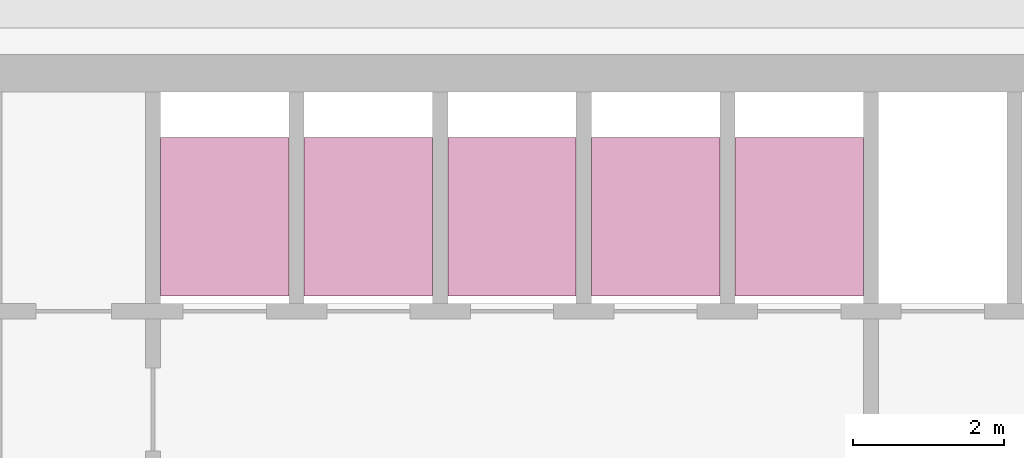
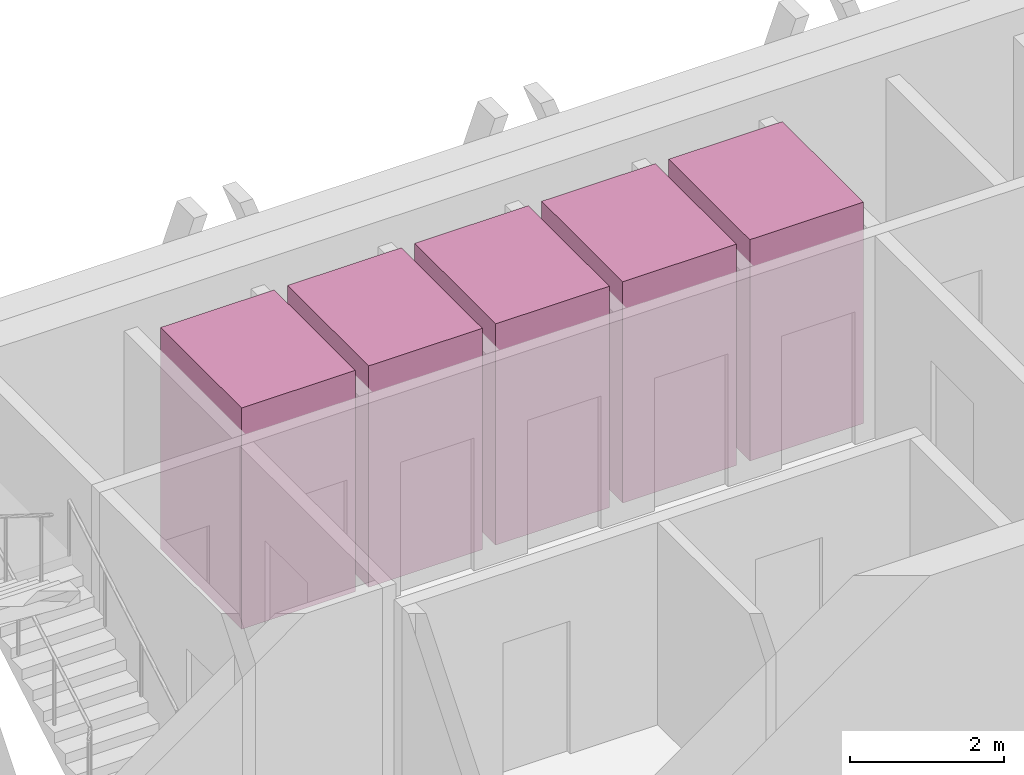
# One storey, part 12 of 12: 5 transport elements.
"""IFC4 building model written with IfcOpenShell, lengths in metres."""

from ifc_helpers import new_model, si_unit, direction, frame, origin, origin_2d, place, context, subcontext, project, spatial, rectangle, extrude, material, type_object, element, save


model = new_model("IFC4")

# Units and contexts
model_context = context("Model", 3, precision=1e-05, world=origin(), true_north=direction((0.0, 1.0)))
body_context = subcontext(model_context, "Body", "Model", "MODEL_VIEW")
ifc_project = project(units=[si_unit("LENGTHUNIT", "METRE"), si_unit("AREAUNIT", "SQUARE_METRE"), si_unit("VOLUMEUNIT", "CUBIC_METRE"), si_unit("PLANEANGLEUNIT", "RADIAN"), si_unit("MASSUNIT", "GRAM", prefix="KILO")], contexts=[model_context])

# Site, building, storey
site_placement = place(None, origin())
site = spatial("IfcSite", under=ifc_project, at=site_placement, CompositionType="ELEMENT")
building_placement = place(site_placement, origin())
building = spatial("IfcBuilding", under=site, at=building_placement, Name="Altiplano Prism Tower", CompositionType="ELEMENT")
storey_placement = place(building_placement, frame((0.0, 0.0, 298.60009765625)))
storey = spatial("IfcBuildingStorey", under=building, at=storey_placement, Name="L77", CompositionType="ELEMENT", Elevation=298.60009765625)

# Transport elements
ifc_material = material(Name="Stainless steel lift car", Category="steel")
transport_element_type = type_object("IfcTransportElementType", Name="Passenger lift car 1600 x 2100", PredefinedType="ELEVATOR", material=ifc_material)
for number, where, z_axis, x_axis, name in (
    (1, (79.050048828125, 101.75, 0.0498046875), (0.0, 0.0, 1.0), (1.0, 0.0, 0.0), "High Zone Passenger Lift 1"),
    (2, (80.949951171875, 101.75, 0.0498046875), (0.0, 0.0, 1.0), (1.0, 0.0, 0.0), "High Zone Passenger Lift 2"),
    (3, (82.85009765625, 101.75, 0.0498046875), (0.0, 0.0, 1.0), (1.0, 0.0, 0.0), "High Zone Passenger Lift 3"),
    (4, (84.75, 101.75, 0.0498046875), (0.0, 0.0, 1.0), (1.0, 0.0, 0.0), "High Zone Passenger Lift 4"),
    (5, (86.64990234375, 101.75, 0.0498046875), (0.0, 0.0, 1.0), (1.0, 0.0, 0.0), "High Zone Passenger Lift 5"),
):
    element("IfcTransportElement", number, at=place(storey_placement, frame(where, z_axis=z_axis, x_axis=x_axis)), inside=storey, type_object=transport_element_type, Name=name, PredefinedType="ELEVATOR", context=body_context, shape_type="SweptSolid", body=[
        extrude(rectangle(XDim=1.699951171875, YDim=2.10009765625, at=origin_2d()), origin(), (0.0, 0.0, 1.0), 3.5),
    ])

save(model, "model.ifc")
